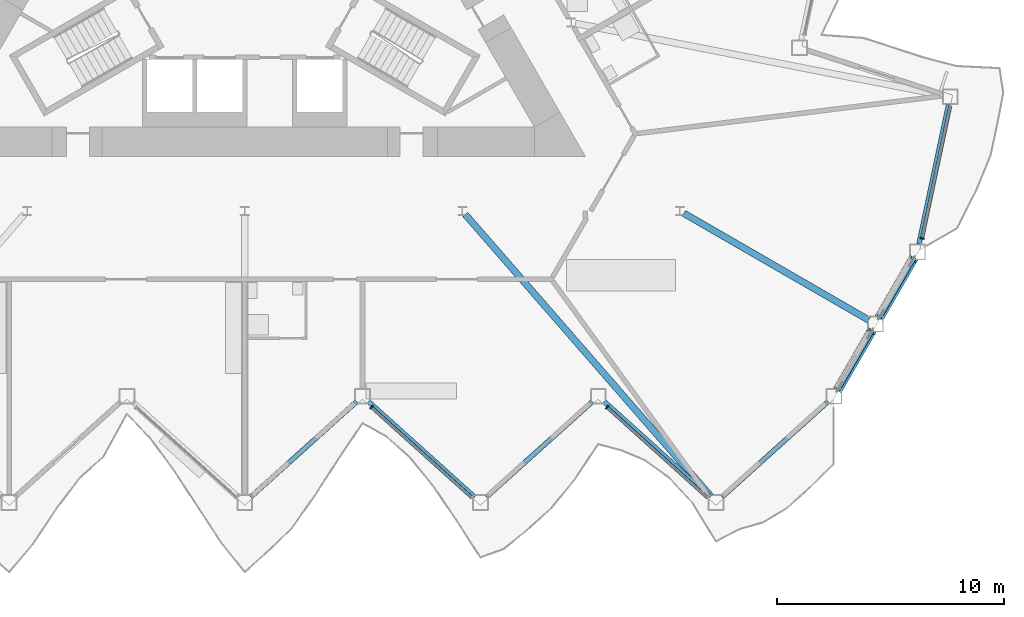
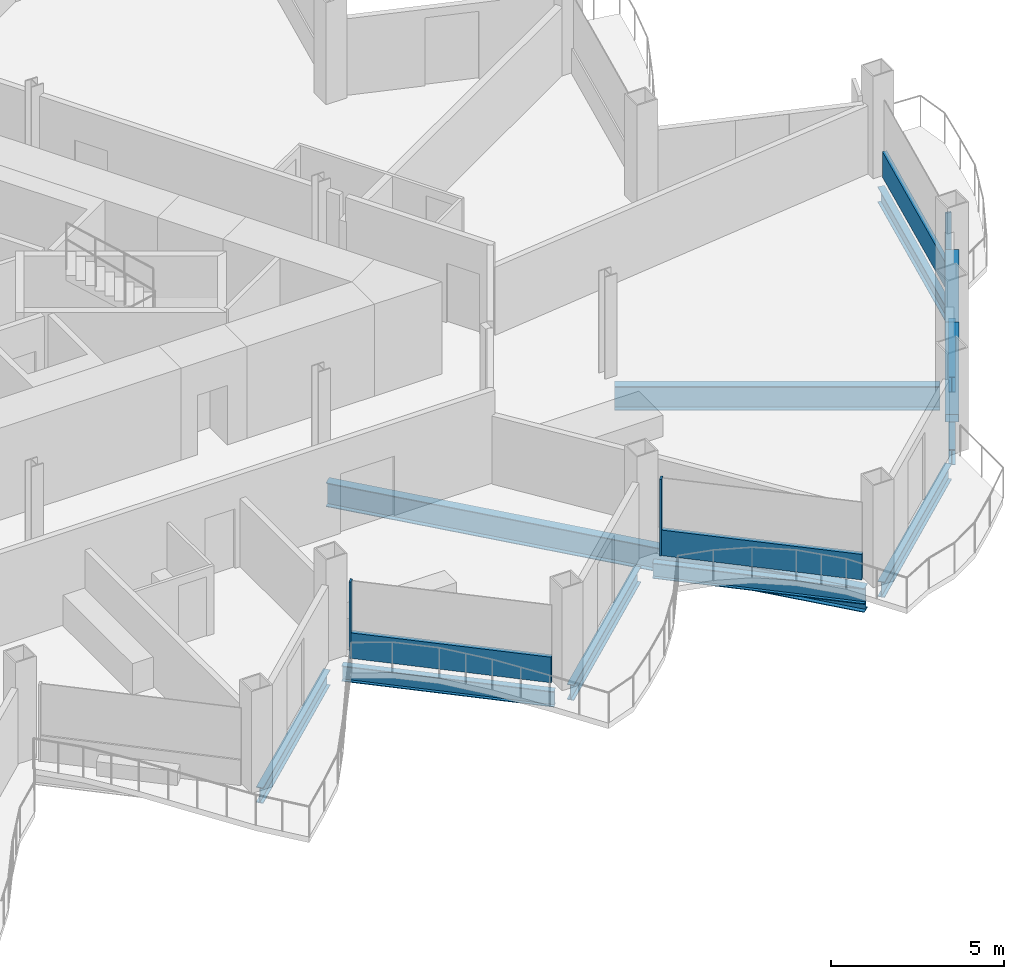
# One storey, part 6 of 24: 10 beams, 8 members, 3 elements without a shape of their own.
"""IFC4 building model written with IfcOpenShell, lengths in metres."""

from ifc_helpers import new_model, si_unit, direction, frame, origin, origin_2d, place, context, subcontext, project, spatial, rectangle, hollow_rectangle, i_section, extrude, material, layer, layer_set, material_profile, profile_set, type_object, element, aggregate, save


model = new_model("IFC4")

# Units and contexts
model_context = context("Model", 3, precision=1e-05, world=origin(), true_north=direction((0.0, 1.0)))
body_context = subcontext(model_context, "Body", "Model", "MODEL_VIEW")
ifc_project = project(units=[si_unit("LENGTHUNIT", "METRE"), si_unit("AREAUNIT", "SQUARE_METRE"), si_unit("VOLUMEUNIT", "CUBIC_METRE"), si_unit("PLANEANGLEUNIT", "RADIAN"), si_unit("MASSUNIT", "GRAM", prefix="KILO")], contexts=[model_context])

# Site, building, storey
site_placement = place(None, origin())
site = spatial("IfcSite", under=ifc_project, at=site_placement, CompositionType="ELEMENT")
building_placement = place(site_placement, origin())
building = spatial("IfcBuilding", under=site, at=building_placement, Name="Cormorant Prow Tower", CompositionType="ELEMENT")
storey_placement = place(building_placement, frame((0.0, 0.0, 270.60009765625)))
storey = spatial("IfcBuildingStorey", under=building, at=storey_placement, Name="L61", CompositionType="ELEMENT", Elevation=270.60009765625)

# Members
ifc_material_1 = material(Name="Structural steel ASTM A500 Gr C", Category="steel")
ifc_material_profile_1 = material_profile(ifc_material_1, hollow_rectangle(XDim=0.406494140625, YDim=0.406494140625, WallThickness=0.01171875, at=origin_2d()), Name="HSS16x16x1/2")
ifc_profile_set_1 = profile_set([ifc_material_profile_1], Name="Structural steel ASTM A500 Gr C")
member_type_1 = type_object("IfcMemberType", Name="Chamfer brace HSS16x16x1/2", PredefinedType="BRACE", material=ifc_profile_set_1)
for number, where, z_axis, x_axis, name in (
    (1, (26.1240234375, -18.898681640625, 0.74951171875), (0.462773096913, 0.801606962687, 0.378506721399), (-0.866041729639, 0.499971721724, 0.0), "Chamfer brace BR2 at ESE00 L61"),
    (2, (27.959228515625, -15.719970703125, 0.74951171875), (0.462773096913, 0.801606962687, 0.378506721399), (-0.866041729639, 0.499971721724, 0.0), "Chamfer brace BR2 at ESE01 L61"),
):
    element("IfcMember", number, at=place(storey_placement, frame(where, z_axis=z_axis, x_axis=x_axis)), inside=storey, type_object=member_type_1, Name=name, PredefinedType="BRACE", context=body_context, shape_type="SweptSolid", body=[
        extrude(hollow_rectangle(XDim=0.406494140625, YDim=0.406494140625, WallThickness=0.01171875, at=origin_2d()), origin(), (0.0, 0.0, 1.0), 3.17529296875),
    ])

# Curtain wall, member
ifc_material_2 = material(Name="Aluminium 6063-T6", Category="aluminium")
ifc_layer = layer(ifc_material_2, 0.179931640625)
ifc_layer_set = layer_set([ifc_layer], Name="Aluminium 6063-T6")
curtain_wall_type = type_object("IfcCurtainWallType", Name="Hotel unitised curtain wall 180", PredefinedType="NOTDEFINED", material=ifc_layer_set)
curtain_wall_1_placement = place(storey_placement, origin())
curtain_wall_1 = element("IfcCurtainWall", 3, at=curtain_wall_1_placement, inside=storey, type_object=curtain_wall_type, Name="Hotel curtain wall S06", PredefinedType="NOTDEFINED")
ifc_material_3 = material(Name="Aluminium 6063-T6", Category="aluminium")
ifc_material_profile_2 = material_profile(ifc_material_3, rectangle(XDim=0.179931640625, YDim=0.06005859375, at=origin_2d()), Name="Hotel mullion 60x180")
ifc_profile_set_2 = profile_set([ifc_material_profile_2], Name="Aluminium 6063-T6")
member_type_2 = type_object("IfcMemberType", Name="Hotel mullion 60x180", PredefinedType="MULLION", material=ifc_profile_set_2)
member_1_placement = place(storey_placement, frame((5.579833984375, -19.701904296875, 0.0), z_axis=(0.0, 0.0, 1.0), x_axis=(0.669130609926, 0.743144822266, 0.0)))
member_1 = element("IfcMember", 4, at=member_1_placement, type_object=member_type_2, Name="Hotel mullion S06", PredefinedType="MULLION", context=body_context, shape_type="SweptSolid", body=[
    extrude(rectangle(XDim=0.179931640625, YDim=0.06005859375, at=origin_2d()), origin(), (0.0, 0.0, 1.0), 2.70068359375),
])

curtain_wall_2_placement = place(storey_placement, origin())
curtain_wall_2 = element("IfcCurtainWall", 5, at=curtain_wall_2_placement, inside=storey, type_object=curtain_wall_type, Name="Hotel curtain wall S08", PredefinedType="NOTDEFINED")
member_2_placement = place(storey_placement, frame((15.9501953125, -19.701904296875, 0.0), z_axis=(0.0, 0.0, 1.0), x_axis=(0.669130609926, 0.743144822266, 0.0)))
member_2 = element("IfcMember", 6, at=member_2_placement, type_object=member_type_2, Name="Hotel mullion S08", PredefinedType="MULLION", context=body_context, shape_type="SweptSolid", body=[
    extrude(rectangle(XDim=0.179931640625, YDim=0.06005859375, at=origin_2d()), origin(), (0.0, 0.0, 1.0), 2.70068359375),
])

curtain_wall_3_placement = place(storey_placement, origin())
curtain_wall_3 = element("IfcCurtainWall", 7, at=curtain_wall_3_placement, inside=storey, type_object=curtain_wall_type, Name="Hotel curtain wall ENE00", PredefinedType="NOTDEFINED")
member_3_placement = place(storey_placement, frame((29.828125, -12.260009765625, 0.0), z_axis=(0.0, 0.0, 1.0), x_axis=(-0.978147597562, 0.207911705739, 0.0)))
member_3 = element("IfcMember", 8, at=member_3_placement, type_object=member_type_2, Name="Hotel mullion ENE00", PredefinedType="MULLION", context=body_context, shape_type="SweptSolid", body=[
    extrude(rectangle(XDim=0.179931640625, YDim=0.06005859375, at=origin_2d()), origin(), (0.0, 0.0, 1.0), 2.70068359375),
])

# Member
ifc_material_4 = material(Name="Terracotta", Category="masonry")
ifc_material_profile_3 = material_profile(ifc_material_4, rectangle(XDim=0.139892578125, YDim=0.89990234375, at=origin_2d()), Name="Hotel terracotta spandrel rail 140x900")
ifc_profile_set_3 = profile_set([ifc_material_profile_3], Name="Terracotta")
member_type_3 = type_object("IfcMemberType", Name="Hotel terracotta spandrel rail 140x900", PredefinedType="USERDEFINED", material=ifc_profile_set_3)
member_4_placement = place(storey_placement, frame((5.60205078125, -19.721923828125, 0.449951171875), z_axis=(0.743138160078, -0.669138008961, 0.0), x_axis=(0.669138008961, 0.743138160078, 0.0)))
member_4 = element("IfcMember", 9, at=member_4_placement, type_object=member_type_3, Name="Hotel spandrel rail S06", ObjectType="TRANSOM", PredefinedType="USERDEFINED", context=body_context, shape_type="SweptSolid", body=[
    extrude(rectangle(XDim=0.139892578125, YDim=0.89990234375, at=origin_2d()), origin(), (0.0, 0.0, 1.0), 5.91552734375),
])

aggregate(curtain_wall_1, [member_1, member_4])

member_5_placement = place(storey_placement, frame((15.97265625, -19.721923828125, 0.449951171875), z_axis=(0.743119680004, -0.669158532181, 0.0), x_axis=(0.669158532181, 0.743119680004, 0.0)))
member_5 = element("IfcMember", 10, at=member_5_placement, type_object=member_type_3, Name="Hotel spandrel rail S08", ObjectType="TRANSOM", PredefinedType="USERDEFINED", context=body_context, shape_type="SweptSolid", body=[
    extrude(rectangle(XDim=0.139892578125, YDim=0.89990234375, at=origin_2d()), origin(), (0.0, 0.0, 1.0), 5.915283203125),
])

aggregate(curtain_wall_2, [member_2, member_5])

member_6_placement = place(storey_placement, frame((29.834228515625, -12.230712890625, 0.449951171875), z_axis=(0.2079278606, 0.978144163601, 0.0), x_axis=(-0.978144163601, 0.2079278606, 0.0)))
member_6 = element("IfcMember", 11, at=member_6_placement, type_object=member_type_3, Name="Hotel spandrel rail ENE00", ObjectType="TRANSOM", PredefinedType="USERDEFINED", context=body_context, shape_type="SweptSolid", body=[
    extrude(rectangle(XDim=0.139892578125, YDim=0.89990234375, at=origin_2d()), origin(), (0.0, 0.0, 1.0), 5.91552734375),
])

aggregate(curtain_wall_3, [member_3, member_6])

# Beams
ifc_material_5 = material(Name="Structural steel ASTM A992 Gr 50", Category="steel")
ifc_material_profile_4 = material_profile(ifc_material_5, i_section(OverallWidth=0.29296875, OverallDepth=0.845703125, WebThickness=0.015380859375, FlangeThickness=0.0244140625, at=origin_2d()), Name="W33x141")
ifc_profile_set_4 = profile_set([ifc_material_profile_4], Name="Structural steel ASTM A992 Gr 50")
beam_type_1 = type_object("IfcBeamType", Name="Radial floor beam W33x141", PredefinedType="BEAM", material=ifc_profile_set_4)
beam_1_placement = place(storey_placement, frame((9.70947265625, -11.210693359375, -0.77294921875), z_axis=(0.656874593387, -0.753999846527, 0.0), x_axis=(0.753999846527, 0.656874593387, 0.0)))
element("IfcBeam", 12, at=beam_1_placement, inside=storey, type_object=beam_type_1, Name="Radial floor beam FB2 8 L61", PredefinedType="BEAM", context=body_context, shape_type="SweptSolid", body=[
    extrude(i_section(OverallWidth=0.29296875, OverallDepth=0.845703125, WebThickness=0.015380859375, FlangeThickness=0.0244140625, at=origin_2d()), origin(), (0.0, 0.0, 1.0), 16.4619140625),
])
beam_2_placement = place(storey_placement, frame((19.32958984375, -11.159912109375, -0.77294921875), z_axis=(0.866021726843, -0.500006368596, 0.0), x_axis=(0.500006368596, 0.866021726843, 0.0)))
element("IfcBeam", 13, at=beam_2_placement, inside=storey, type_object=beam_type_1, Name="Radial floor beam FB2 9 L61", PredefinedType="BEAM", context=body_context, shape_type="SweptSolid", body=[
    extrude(i_section(OverallWidth=0.29296875, OverallDepth=0.845703125, WebThickness=0.015380859375, FlangeThickness=0.0244140625, at=origin_2d()), origin(), (0.0, 0.0, 1.0), 9.40380859375),
])
ifc_material_6 = material(Name="Structural steel ASTM A992 Gr 50", Category="steel")
ifc_material_profile_5 = material_profile(ifc_material_6, i_section(OverallWidth=0.2138671875, OverallDepth=0.549072265625, WebThickness=0.0146484375, FlangeThickness=0.023681640625, at=origin_2d()), Name="W21x93")
ifc_profile_set_5 = profile_set([ifc_material_profile_5], Name="Structural steel ASTM A992 Gr 50")
beam_type_2 = type_object("IfcBeamType", Name="Spandrel beam W21x93", PredefinedType="SPANDREL", material=ifc_profile_set_5)
for number, where, z_axis, x_axis, name in (
    (14, (0.260009765625, -23.65283203125, -0.624755859375), (0.743156918576, 0.669117175368, 0.0), (-0.669117175368, 0.743156918576, 0.0), "Spandrel beam SB2 S05-S06 L61"),
    (15, (5.4482421875, -19.44970703125, -0.624755859375), (0.743156918576, -0.669117175368, 0.0), (0.669117175368, 0.743156918576, 0.0), "Spandrel beam SB2 S06-S07 L61"),
    (16, (10.636474609375, -23.65283203125, -0.624755859375), (0.743156918576, 0.669117175368, 0.0), (-0.669117175368, 0.743156918576, 0.0), "Spandrel beam SB2 S07-S08 L61"),
    (17, (15.82470703125, -19.44970703125, -0.624755859375), (0.743156918576, -0.669117175368, 0.0), (0.669117175368, 0.743156918576, 0.0), "Spandrel beam SB2 S08-S09 L61"),
    (18, (21.012939453125, -23.65283203125, -0.624755859375), (0.743156918576, 0.669117175368, 0.0), (-0.669117175368, 0.743156918576, 0.0), "Spandrel beam SB2 S09-ESE00 L61"),
):
    element("IfcBeam", number, at=place(storey_placement, frame(where, z_axis=z_axis, x_axis=x_axis)), inside=storey, type_object=beam_type_2, Name=name, PredefinedType="SPANDREL", context=body_context, shape_type="SweptSolid", body=[
        extrude(i_section(OverallWidth=0.2138671875, OverallDepth=0.549072265625, WebThickness=0.0146484375, FlangeThickness=0.023681640625, at=origin_2d()), origin(), (0.0, 0.0, 1.0), 6.281494140625),
    ])
for number, where, z_axis, x_axis, name in (
    (19, (26.1162109375, -18.912353515625, -0.624755859375), (0.499966725515, 0.866044613965, 0.0), (-0.866044613965, 0.499966725515, 0.0), "Spandrel beam SB2 ESE00-ESE01 L61"),
    (20, (27.951416015625, -15.733642578125, -0.624755859375), (0.499966725515, 0.866044613965, 0.0), (-0.866044613965, 0.499966725515, 0.0), "Spandrel beam SB2 ESE01-ENE00 L61"),
):
    element("IfcBeam", number, at=place(storey_placement, frame(where, z_axis=z_axis, x_axis=x_axis)), inside=storey, type_object=beam_type_2, Name=name, PredefinedType="SPANDREL", context=body_context, shape_type="SweptSolid", body=[
        extrude(i_section(OverallWidth=0.2138671875, OverallDepth=0.549072265625, WebThickness=0.0146484375, FlangeThickness=0.023681640625, at=origin_2d()), origin(), (0.0, 0.0, 1.0), 2.970458984375),
    ])
beam_3_placement = place(storey_placement, frame((29.684326171875, -12.515625, -0.624755859375), z_axis=(0.207941499013, 0.978141264331, 0.0), x_axis=(-0.978141264331, 0.207941499013, 0.0)))
element("IfcBeam", 21, at=beam_3_placement, inside=storey, type_object=beam_type_2, Name="Spandrel beam SB2 ENE00-ENE01 L61", PredefinedType="SPANDREL", context=body_context, shape_type="SweptSolid", body=[
    extrude(i_section(OverallWidth=0.2138671875, OverallDepth=0.549072265625, WebThickness=0.0146484375, FlangeThickness=0.023681640625, at=origin_2d()), origin(), (0.0, 0.0, 1.0), 6.28125),
])

save(model, "model.ifc")
